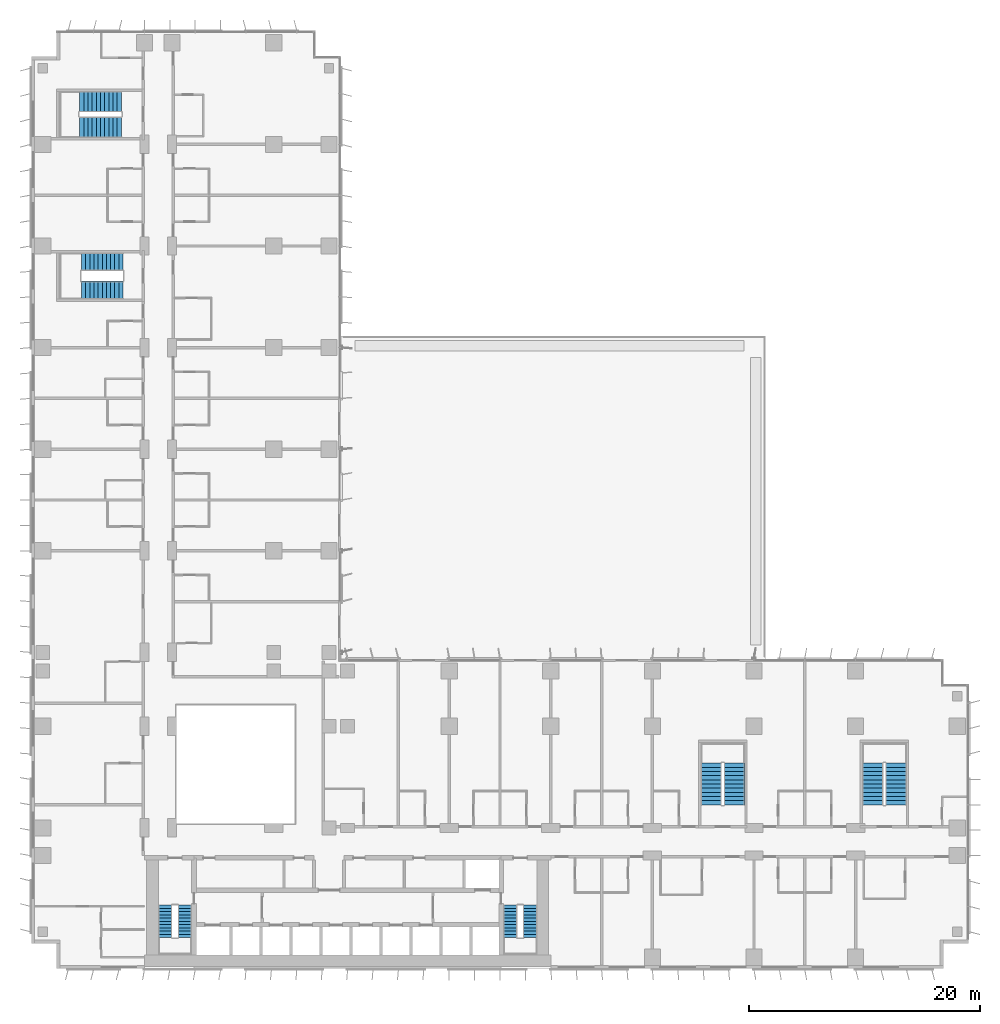
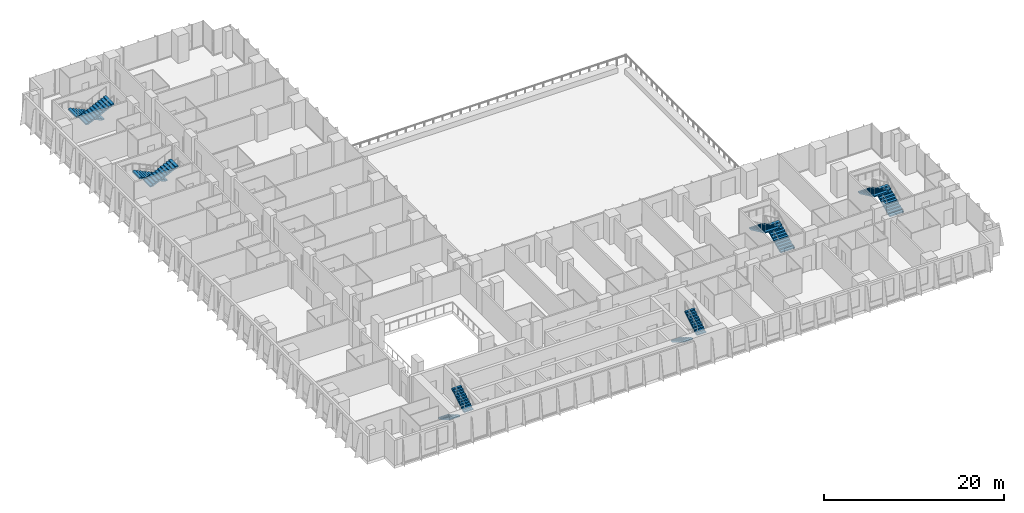
# One storey, part 18 of 23: 12 stair flights, 6 elements without a shape of their own.
"""IFC4 building model written with IfcOpenShell, lengths in metres."""

from ifc_helpers import new_model, si_unit, direction, frame, origin, place, context, subcontext, project, spatial, polyline, outline, extrude, material, type_object, element, aggregate, save


model = new_model("IFC4")

# Units and contexts
model_context = context("Model", 3, precision=1e-05, world=origin(), true_north=direction((0.0, 1.0)))
body_context = subcontext(model_context, "Body", "Model", "MODEL_VIEW")
ifc_project = project(units=[si_unit("LENGTHUNIT", "METRE"), si_unit("AREAUNIT", "SQUARE_METRE"), si_unit("VOLUMEUNIT", "CUBIC_METRE"), si_unit("PLANEANGLEUNIT", "RADIAN"), si_unit("MASSUNIT", "GRAM", prefix="KILO")], contexts=[model_context])

# Site, building, storey
site_placement = place(None, origin())
site = spatial("IfcSite", under=ifc_project, at=site_placement, CompositionType="ELEMENT")
building_placement = place(site_placement, origin())
building = spatial("IfcBuilding", under=site, at=building_placement, Name="Kemantara Hotel Tower", CompositionType="ELEMENT")
storey_placement = place(building_placement, frame((0.0, 0.0, 34.0)))
storey = spatial("IfcBuildingStorey", under=building, at=storey_placement, Name="L06", CompositionType="ELEMENT", Elevation=34.0)

# Stair, stair flights
ifc_material = material(Name="Concrete fc 40 MPa", Category="concrete")
stair_type_1 = type_object("IfcStairType", Name="Stair 1200 wide 22 risers of 168 x 280 mm", PredefinedType="HALF_TURN_STAIR", material=ifc_material)
stair_1_placement = place(storey_placement, origin())
stair_1 = element("IfcStair", 1, at=stair_1_placement, inside=storey, type_object=stair_type_1, Name="L06 Exit stair ST1", PredefinedType="HALF_TURN_STAIR")
stair_flight_type_1 = type_object("IfcStairFlightType", Name="Stair flight 1200 wide 168 x 280 mm", PredefinedType="STRAIGHT", material=ifc_material)
stair_flight_1_placement = place(storey_placement, frame((11.60009765625, 5.5, 0.0), z_axis=(0.0, 0.0, 1.0), x_axis=(0.0, -1.0, 0.0)))
stair_flight_1 = element("IfcStairFlight", 2, at=stair_flight_1_placement, type_object=stair_flight_type_1, Name="ST1 flight 1", NumberOfRisers=11, NumberOfTreads=10, PredefinedType="STRAIGHT", RiserHeight=0.168181818, TreadLength=0.28, context=body_context, shape_type="SweptSolid", body=[
    extrude(outline(polyline([(0.0, 0.0), (0.0, 0.168212890625), (0.280029296875, 0.168212890625), (0.280029296875, 0.33642578125), (0.56005859375, 0.33642578125), (0.56005859375, 0.504638671875), (0.840087890625, 0.504638671875), (0.840087890625, 0.672607421875), (1.1201171875, 0.672607421875), (1.1201171875, 0.8408203125), (1.39990234375, 0.8408203125), (1.39990234375, 1.009033203125), (1.679931640625, 1.009033203125), (1.679931640625, 1.17724609375), (1.9599609375, 1.17724609375), (1.9599609375, 1.345458984375), (2.239990234375, 1.345458984375), (2.239990234375, 1.513671875), (2.52001953125, 1.513671875), (2.52001953125, 1.681884765625), (2.800048828125, 1.681884765625), (2.800048828125, 1.85009765625), (2.800048828125, 1.5068359375), (0.291015625, 0.0), (0.0, 0.0)])), frame((0.0, 0.60009765625, 0.0), z_axis=(0.0, -1.0, 0.0), x_axis=(1.0, 0.0, 0.0)), (0.0, 0.0, 1.0), 1.199951171875),
])
stair_flight_2_placement = place(storey_placement, frame((13.300048828125, 2.699951171875, 1.85009765625), z_axis=(0.0, 0.0, 1.0), x_axis=(0.0, 1.0, 0.0)))
stair_flight_2 = element("IfcStairFlight", 3, at=stair_flight_2_placement, type_object=stair_flight_type_1, Name="ST1 flight 2", NumberOfRisers=11, NumberOfTreads=10, PredefinedType="STRAIGHT", RiserHeight=0.168181818, TreadLength=0.28, context=body_context, shape_type="SweptSolid", body=[
    extrude(outline(polyline([(0.0, 0.0), (0.0, 0.168212890625), (0.280029296875, 0.168212890625), (0.280029296875, 0.33642578125), (0.56005859375, 0.33642578125), (0.56005859375, 0.504638671875), (0.840087890625, 0.504638671875), (0.840087890625, 0.672607421875), (1.1201171875, 0.672607421875), (1.1201171875, 0.8408203125), (1.39990234375, 0.8408203125), (1.39990234375, 1.009033203125), (1.679931640625, 1.009033203125), (1.679931640625, 1.17724609375), (1.9599609375, 1.17724609375), (1.9599609375, 1.345458984375), (2.239990234375, 1.345458984375), (2.239990234375, 1.513671875), (2.52001953125, 1.513671875), (2.52001953125, 1.681884765625), (2.800048828125, 1.681884765625), (2.800048828125, 1.85009765625), (2.800048828125, 1.5068359375), (0.291015625, 0.0), (0.0, 0.0)])), frame((0.0, 0.60009765625, 0.0), z_axis=(0.0, -1.0, 0.0), x_axis=(1.0, 0.0, 0.0)), (0.0, 0.0, 1.0), 1.199951171875),
])
aggregate(stair_1, [stair_flight_1, stair_flight_2])

stair_2_placement = place(storey_placement, origin())
stair_2 = element("IfcStair", 4, at=stair_2_placement, inside=storey, type_object=stair_type_1, Name="L06 Exit stair ST2", PredefinedType="HALF_TURN_STAIR")
stair_flight_3_placement = place(storey_placement, frame((41.5, 5.5, 0.0), z_axis=(0.0, 0.0, 1.0), x_axis=(0.0, -1.0, 0.0)))
stair_flight_3 = element("IfcStairFlight", 5, at=stair_flight_3_placement, type_object=stair_flight_type_1, Name="ST2 flight 1", NumberOfRisers=11, NumberOfTreads=10, PredefinedType="STRAIGHT", RiserHeight=0.168181818, TreadLength=0.28, context=body_context, shape_type="SweptSolid", body=[
    extrude(outline(polyline([(0.0, 0.0), (0.0, 0.168212890625), (0.280029296875, 0.168212890625), (0.280029296875, 0.33642578125), (0.56005859375, 0.33642578125), (0.56005859375, 0.504638671875), (0.840087890625, 0.504638671875), (0.840087890625, 0.672607421875), (1.1201171875, 0.672607421875), (1.1201171875, 0.8408203125), (1.39990234375, 0.8408203125), (1.39990234375, 1.009033203125), (1.679931640625, 1.009033203125), (1.679931640625, 1.17724609375), (1.9599609375, 1.17724609375), (1.9599609375, 1.345458984375), (2.239990234375, 1.345458984375), (2.239990234375, 1.513671875), (2.52001953125, 1.513671875), (2.52001953125, 1.681884765625), (2.800048828125, 1.681884765625), (2.800048828125, 1.85009765625), (2.800048828125, 1.5068359375), (0.291015625, 0.0), (0.0, 0.0)])), frame((0.0, 0.60009765625, 0.0), z_axis=(0.0, -1.0, 0.0), x_axis=(1.0, 0.0, 0.0)), (0.0, 0.0, 1.0), 1.199951171875),
])
stair_flight_4_placement = place(storey_placement, frame((43.199951171875, 2.699951171875, 1.85009765625), z_axis=(0.0, 0.0, 1.0), x_axis=(0.0, 1.0, 0.0)))
stair_flight_4 = element("IfcStairFlight", 6, at=stair_flight_4_placement, type_object=stair_flight_type_1, Name="ST2 flight 2", NumberOfRisers=11, NumberOfTreads=10, PredefinedType="STRAIGHT", RiserHeight=0.168181818, TreadLength=0.28, context=body_context, shape_type="SweptSolid", body=[
    extrude(outline(polyline([(0.0, 0.0), (0.0, 0.168212890625), (0.280029296875, 0.168212890625), (0.280029296875, 0.33642578125), (0.56005859375, 0.33642578125), (0.56005859375, 0.504638671875), (0.840087890625, 0.504638671875), (0.840087890625, 0.672607421875), (1.1201171875, 0.672607421875), (1.1201171875, 0.8408203125), (1.39990234375, 0.8408203125), (1.39990234375, 1.009033203125), (1.679931640625, 1.009033203125), (1.679931640625, 1.17724609375), (1.9599609375, 1.17724609375), (1.9599609375, 1.345458984375), (2.239990234375, 1.345458984375), (2.239990234375, 1.513671875), (2.52001953125, 1.513671875), (2.52001953125, 1.681884765625), (2.800048828125, 1.681884765625), (2.800048828125, 1.85009765625), (2.800048828125, 1.5068359375), (0.291015625, 0.0), (0.0, 0.0)])), frame((0.0, 0.60009765625, 0.0), z_axis=(0.0, -1.0, 0.0), x_axis=(1.0, 0.0, 0.0)), (0.0, 0.0, 1.0), 1.199951171875),
])
aggregate(stair_2, [stair_flight_3, stair_flight_4])

stair_type_2 = type_object("IfcStairType", Name="Stair 1550 wide 22 risers of 168 x 360 mm", PredefinedType="HALF_TURN_STAIR", material=ifc_material)
stair_3_placement = place(storey_placement, origin())
stair_3 = element("IfcStair", 7, at=stair_3_placement, inside=storey, type_object=stair_type_2, Name="L06 Exit stair ST4", PredefinedType="HALF_TURN_STAIR")
stair_flight_type_2 = type_object("IfcStairFlightType", Name="Stair flight 1550 wide 168 x 360 mm", PredefinedType="STRAIGHT", material=ifc_material)
stair_flight_5_placement = place(storey_placement, frame((7.949951171875, 61.22509765625, 0.0), z_axis=(0.0, 0.0, 1.0), x_axis=(-1.0, 0.0, 0.0)))
stair_flight_5 = element("IfcStairFlight", 8, at=stair_flight_5_placement, type_object=stair_flight_type_2, Name="ST4 flight 1", NumberOfRisers=11, NumberOfTreads=10, PredefinedType="STRAIGHT", RiserHeight=0.168181818, TreadLength=0.36, context=body_context, shape_type="SweptSolid", body=[
    extrude(outline(polyline([(0.0, 0.0), (0.0, 0.168212890625), (0.360107421875, 0.168212890625), (0.360107421875, 0.33642578125), (0.719970703125, 0.33642578125), (0.719970703125, 0.504638671875), (1.080078125, 0.504638671875), (1.080078125, 0.672607421875), (1.43994140625, 0.672607421875), (1.43994140625, 0.8408203125), (1.800048828125, 0.8408203125), (1.800048828125, 1.009033203125), (2.159912109375, 1.009033203125), (2.159912109375, 1.17724609375), (2.52001953125, 1.17724609375), (2.52001953125, 1.345458984375), (2.8798828125, 1.345458984375), (2.8798828125, 1.513671875), (3.239990234375, 1.513671875), (3.239990234375, 1.681884765625), (3.60009765625, 1.681884765625), (3.60009765625, 1.85009765625), (3.60009765625, 1.516357421875), (0.354248046875, 0.0), (0.0, 0.0)])), frame((0.0, 0.77490234375, 0.0), z_axis=(0.0, -1.0, 0.0), x_axis=(1.0, 0.0, 0.0)), (0.0, 0.0, 1.0), 1.550048828125),
])
stair_flight_6_placement = place(storey_placement, frame((4.35009765625, 58.77490234375, 1.85009765625), z_axis=(0.0, 0.0, 1.0), x_axis=(1.0, 0.0, 0.0)))
stair_flight_6 = element("IfcStairFlight", 9, at=stair_flight_6_placement, type_object=stair_flight_type_2, Name="ST4 flight 2", NumberOfRisers=11, NumberOfTreads=10, PredefinedType="STRAIGHT", RiserHeight=0.168181818, TreadLength=0.36, context=body_context, shape_type="SweptSolid", body=[
    extrude(outline(polyline([(0.0, 0.0), (0.0, 0.168212890625), (0.360107421875, 0.168212890625), (0.360107421875, 0.33642578125), (0.719970703125, 0.33642578125), (0.719970703125, 0.504638671875), (1.080078125, 0.504638671875), (1.080078125, 0.672607421875), (1.43994140625, 0.672607421875), (1.43994140625, 0.8408203125), (1.800048828125, 0.8408203125), (1.800048828125, 1.009033203125), (2.159912109375, 1.009033203125), (2.159912109375, 1.17724609375), (2.52001953125, 1.17724609375), (2.52001953125, 1.345458984375), (2.8798828125, 1.345458984375), (2.8798828125, 1.513671875), (3.239990234375, 1.513671875), (3.239990234375, 1.681884765625), (3.60009765625, 1.681884765625), (3.60009765625, 1.85009765625), (3.60009765625, 1.516357421875), (0.354248046875, 0.0), (0.0, 0.0)])), frame((0.0, 0.77490234375, 0.0), z_axis=(0.0, -1.0, 0.0), x_axis=(1.0, 0.0, 0.0)), (0.0, 0.0, 1.0), 1.550048828125),
])
aggregate(stair_3, [stair_flight_5, stair_flight_6])

stair_type_3 = type_object("IfcStairType", Name="Stair 1800 wide 22 risers of 168 x 360 mm", PredefinedType="HALF_TURN_STAIR", material=ifc_material)
stair_4_placement = place(storey_placement, origin())
stair_4 = element("IfcStair", 10, at=stair_4_placement, inside=storey, type_object=stair_type_3, Name="L06 Exit stair ST3", PredefinedType="HALF_TURN_STAIR")
stair_flight_type_3 = type_object("IfcStairFlightType", Name="Stair flight 1800 wide 168 x 360 mm", PredefinedType="STRAIGHT", material=ifc_material)
stair_flight_7_placement = place(storey_placement, frame((60.89990234375, 14.199951171875, 0.0), z_axis=(0.0, 0.0, 1.0), x_axis=(0.0, 1.0, 0.0)))
stair_flight_7 = element("IfcStairFlight", 11, at=stair_flight_7_placement, type_object=stair_flight_type_3, Name="ST3 flight 1", NumberOfRisers=11, NumberOfTreads=10, PredefinedType="STRAIGHT", RiserHeight=0.168181818, TreadLength=0.36, context=body_context, shape_type="SweptSolid", body=[
    extrude(outline(polyline([(0.0, 0.0), (0.0, 0.168212890625), (0.360107421875, 0.168212890625), (0.360107421875, 0.33642578125), (0.719970703125, 0.33642578125), (0.719970703125, 0.504638671875), (1.080078125, 0.504638671875), (1.080078125, 0.672607421875), (1.43994140625, 0.672607421875), (1.43994140625, 0.8408203125), (1.800048828125, 0.8408203125), (1.800048828125, 1.009033203125), (2.159912109375, 1.009033203125), (2.159912109375, 1.17724609375), (2.52001953125, 1.17724609375), (2.52001953125, 1.345458984375), (2.8798828125, 1.345458984375), (2.8798828125, 1.513671875), (3.239990234375, 1.513671875), (3.239990234375, 1.681884765625), (3.60009765625, 1.681884765625), (3.60009765625, 1.85009765625), (3.60009765625, 1.516357421875), (0.354248046875, 0.0), (0.0, 0.0)])), frame((0.0, 0.89990234375, 0.0), z_axis=(0.0, -1.0, 0.0), x_axis=(1.0, 0.0, 0.0)), (0.0, 0.0, 1.0), 1.800048828125),
])
stair_flight_8_placement = place(storey_placement, frame((58.89990234375, 17.800048828125, 1.85009765625), z_axis=(0.0, 0.0, 1.0), x_axis=(0.0, -1.0, 0.0)))
stair_flight_8 = element("IfcStairFlight", 12, at=stair_flight_8_placement, type_object=stair_flight_type_3, Name="ST3 flight 2", NumberOfRisers=11, NumberOfTreads=10, PredefinedType="STRAIGHT", RiserHeight=0.168181818, TreadLength=0.36, context=body_context, shape_type="SweptSolid", body=[
    extrude(outline(polyline([(0.0, 0.0), (0.0, 0.168212890625), (0.360107421875, 0.168212890625), (0.360107421875, 0.33642578125), (0.719970703125, 0.33642578125), (0.719970703125, 0.504638671875), (1.080078125, 0.504638671875), (1.080078125, 0.672607421875), (1.43994140625, 0.672607421875), (1.43994140625, 0.8408203125), (1.800048828125, 0.8408203125), (1.800048828125, 1.009033203125), (2.159912109375, 1.009033203125), (2.159912109375, 1.17724609375), (2.52001953125, 1.17724609375), (2.52001953125, 1.345458984375), (2.8798828125, 1.345458984375), (2.8798828125, 1.513671875), (3.239990234375, 1.513671875), (3.239990234375, 1.681884765625), (3.60009765625, 1.681884765625), (3.60009765625, 1.85009765625), (3.60009765625, 1.516357421875), (0.354248046875, 0.0), (0.0, 0.0)])), frame((0.0, 0.89990234375, 0.0), z_axis=(0.0, -1.0, 0.0), x_axis=(1.0, 0.0, 0.0)), (0.0, 0.0, 1.0), 1.800048828125),
])
aggregate(stair_4, [stair_flight_7, stair_flight_8])

stair_5_placement = place(storey_placement, origin())
stair_5 = element("IfcStair", 13, at=stair_5_placement, inside=storey, type_object=stair_type_3, Name="L06 Exit stair ST5", PredefinedType="HALF_TURN_STAIR")
stair_flight_9_placement = place(storey_placement, frame((74.89990234375, 14.199951171875, 0.0), z_axis=(0.0, 0.0, 1.0), x_axis=(0.0, 1.0, 0.0)))
stair_flight_9 = element("IfcStairFlight", 14, at=stair_flight_9_placement, type_object=stair_flight_type_3, Name="ST5 flight 1", NumberOfRisers=11, NumberOfTreads=10, PredefinedType="STRAIGHT", RiserHeight=0.168181818, TreadLength=0.36, context=body_context, shape_type="SweptSolid", body=[
    extrude(outline(polyline([(0.0, 0.0), (0.0, 0.168212890625), (0.360107421875, 0.168212890625), (0.360107421875, 0.33642578125), (0.719970703125, 0.33642578125), (0.719970703125, 0.504638671875), (1.080078125, 0.504638671875), (1.080078125, 0.672607421875), (1.43994140625, 0.672607421875), (1.43994140625, 0.8408203125), (1.800048828125, 0.8408203125), (1.800048828125, 1.009033203125), (2.159912109375, 1.009033203125), (2.159912109375, 1.17724609375), (2.52001953125, 1.17724609375), (2.52001953125, 1.345458984375), (2.8798828125, 1.345458984375), (2.8798828125, 1.513671875), (3.239990234375, 1.513671875), (3.239990234375, 1.681884765625), (3.60009765625, 1.681884765625), (3.60009765625, 1.85009765625), (3.60009765625, 1.516357421875), (0.354248046875, 0.0), (0.0, 0.0)])), frame((0.0, 0.89990234375, 0.0), z_axis=(0.0, -1.0, 0.0), x_axis=(1.0, 0.0, 0.0)), (0.0, 0.0, 1.0), 1.800048828125),
])
stair_flight_10_placement = place(storey_placement, frame((72.89990234375, 17.800048828125, 1.85009765625), z_axis=(0.0, 0.0, 1.0), x_axis=(0.0, -1.0, 0.0)))
stair_flight_10 = element("IfcStairFlight", 15, at=stair_flight_10_placement, type_object=stair_flight_type_3, Name="ST5 flight 2", NumberOfRisers=11, NumberOfTreads=10, PredefinedType="STRAIGHT", RiserHeight=0.168181818, TreadLength=0.36, context=body_context, shape_type="SweptSolid", body=[
    extrude(outline(polyline([(0.0, 0.0), (0.0, 0.168212890625), (0.360107421875, 0.168212890625), (0.360107421875, 0.33642578125), (0.719970703125, 0.33642578125), (0.719970703125, 0.504638671875), (1.080078125, 0.504638671875), (1.080078125, 0.672607421875), (1.43994140625, 0.672607421875), (1.43994140625, 0.8408203125), (1.800048828125, 0.8408203125), (1.800048828125, 1.009033203125), (2.159912109375, 1.009033203125), (2.159912109375, 1.17724609375), (2.52001953125, 1.17724609375), (2.52001953125, 1.345458984375), (2.8798828125, 1.345458984375), (2.8798828125, 1.513671875), (3.239990234375, 1.513671875), (3.239990234375, 1.681884765625), (3.60009765625, 1.681884765625), (3.60009765625, 1.85009765625), (3.60009765625, 1.516357421875), (0.354248046875, 0.0), (0.0, 0.0)])), frame((0.0, 0.89990234375, 0.0), z_axis=(0.0, -1.0, 0.0), x_axis=(1.0, 0.0, 0.0)), (0.0, 0.0, 1.0), 1.800048828125),
])
aggregate(stair_5, [stair_flight_9, stair_flight_10])

stair_6_placement = place(storey_placement, origin())
stair_6 = element("IfcStair", 16, at=stair_6_placement, inside=storey, type_object=stair_type_3, Name="L06 Exit stair ST6", PredefinedType="HALF_TURN_STAIR")
stair_flight_11_placement = place(storey_placement, frame((7.800048828125, 75.10009765625, 0.0), z_axis=(0.0, 0.0, 1.0), x_axis=(-1.0, 0.0, 0.0)))
stair_flight_11 = element("IfcStairFlight", 17, at=stair_flight_11_placement, type_object=stair_flight_type_3, Name="ST6 flight 1", NumberOfRisers=11, NumberOfTreads=10, PredefinedType="STRAIGHT", RiserHeight=0.168181818, TreadLength=0.36, context=body_context, shape_type="SweptSolid", body=[
    extrude(outline(polyline([(0.0, 0.0), (0.0, 0.168212890625), (0.360107421875, 0.168212890625), (0.360107421875, 0.33642578125), (0.719970703125, 0.33642578125), (0.719970703125, 0.504638671875), (1.080078125, 0.504638671875), (1.080078125, 0.672607421875), (1.43994140625, 0.672607421875), (1.43994140625, 0.8408203125), (1.800048828125, 0.8408203125), (1.800048828125, 1.009033203125), (2.159912109375, 1.009033203125), (2.159912109375, 1.17724609375), (2.52001953125, 1.17724609375), (2.52001953125, 1.345458984375), (2.8798828125, 1.345458984375), (2.8798828125, 1.513671875), (3.239990234375, 1.513671875), (3.239990234375, 1.681884765625), (3.60009765625, 1.681884765625), (3.60009765625, 1.85009765625), (3.60009765625, 1.516357421875), (0.354248046875, 0.0), (0.0, 0.0)])), frame((0.0, 0.89990234375, 0.0), z_axis=(0.0, -1.0, 0.0), x_axis=(1.0, 0.0, 0.0)), (0.0, 0.0, 1.0), 1.800048828125),
])
stair_flight_12_placement = place(storey_placement, frame((4.199951171875, 72.89990234375, 1.85009765625), z_axis=(0.0, 0.0, 1.0), x_axis=(1.0, 0.0, 0.0)))
stair_flight_12 = element("IfcStairFlight", 18, at=stair_flight_12_placement, type_object=stair_flight_type_3, Name="ST6 flight 2", NumberOfRisers=11, NumberOfTreads=10, PredefinedType="STRAIGHT", RiserHeight=0.168181818, TreadLength=0.36, context=body_context, shape_type="SweptSolid", body=[
    extrude(outline(polyline([(0.0, 0.0), (0.0, 0.168212890625), (0.360107421875, 0.168212890625), (0.360107421875, 0.33642578125), (0.719970703125, 0.33642578125), (0.719970703125, 0.504638671875), (1.080078125, 0.504638671875), (1.080078125, 0.672607421875), (1.43994140625, 0.672607421875), (1.43994140625, 0.8408203125), (1.800048828125, 0.8408203125), (1.800048828125, 1.009033203125), (2.159912109375, 1.009033203125), (2.159912109375, 1.17724609375), (2.52001953125, 1.17724609375), (2.52001953125, 1.345458984375), (2.8798828125, 1.345458984375), (2.8798828125, 1.513671875), (3.239990234375, 1.513671875), (3.239990234375, 1.681884765625), (3.60009765625, 1.681884765625), (3.60009765625, 1.85009765625), (3.60009765625, 1.516357421875), (0.354248046875, 0.0), (0.0, 0.0)])), frame((0.0, 0.89990234375, 0.0), z_axis=(0.0, -1.0, 0.0), x_axis=(1.0, 0.0, 0.0)), (0.0, 0.0, 1.0), 1.800048828125),
])
aggregate(stair_6, [stair_flight_11, stair_flight_12])

save(model, "model.ifc")
